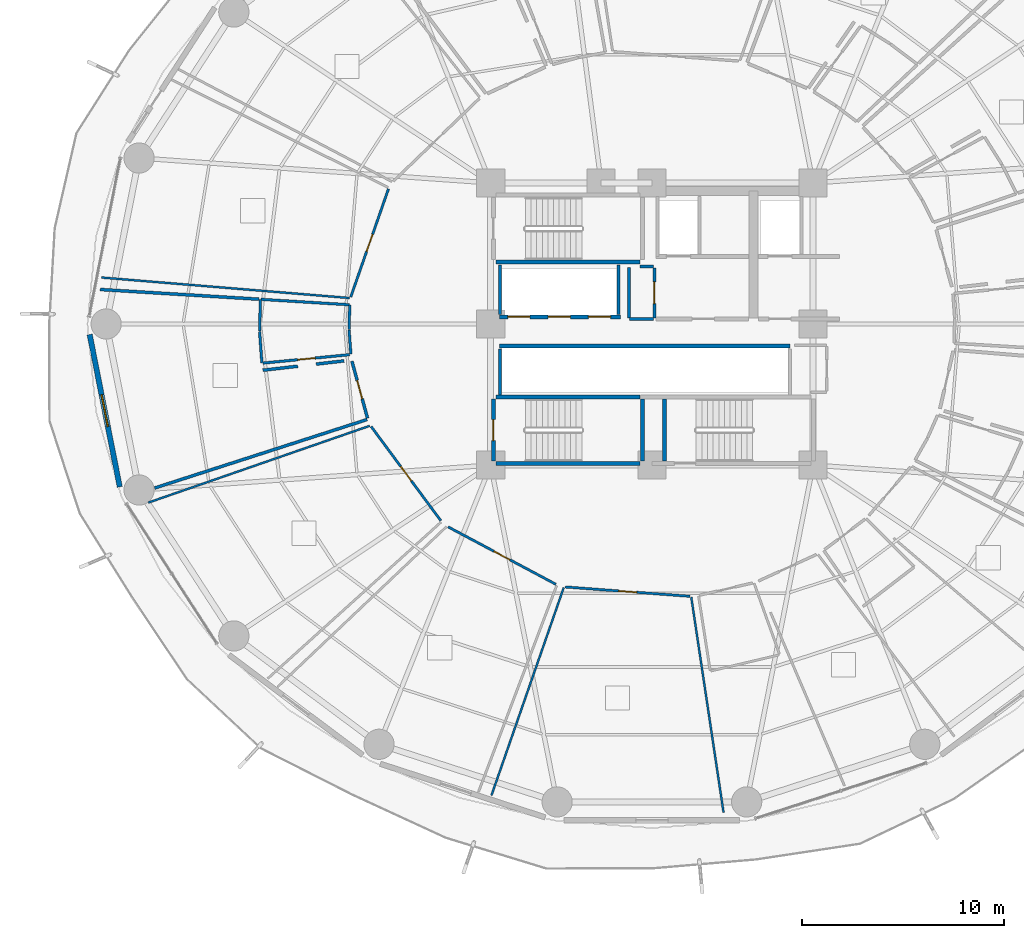
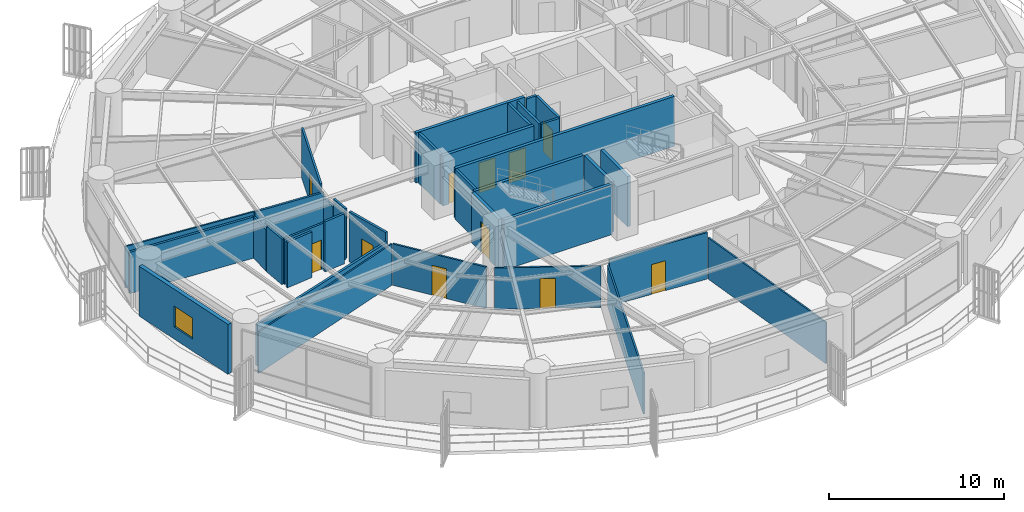
# One storey, part 22 of 31: 35 walls, 11 doors, 1 window, 12 openings.
"""IFC4 building model written with IfcOpenShell, lengths in metres."""

from ifc_helpers import new_model, si_unit, direction, frame, frame_2d, origin, place, context, subcontext, project, spatial, rectangle, extrude, material, layer, layer_set, type_object, element, fill, save


model = new_model("IFC4")

# Units and contexts
model_context = context("Model", 3, precision=1e-05, world=origin(), true_north=direction((0.0, 1.0)))
body_context = subcontext(model_context, "Body", "Model", "MODEL_VIEW")
ifc_project = project(units=[si_unit("LENGTHUNIT", "METRE"), si_unit("AREAUNIT", "SQUARE_METRE"), si_unit("VOLUMEUNIT", "CUBIC_METRE"), si_unit("PLANEANGLEUNIT", "RADIAN"), si_unit("MASSUNIT", "GRAM", prefix="KILO")], contexts=[model_context])

# Site, building, storey
site_placement = place(None, origin())
site = spatial("IfcSite", under=ifc_project, at=site_placement, CompositionType="ELEMENT")
building_placement = place(site_placement, origin())
building = spatial("IfcBuilding", under=site, at=building_placement, Name="Kelanora Arch Commons", CompositionType="ELEMENT")
storey_placement = place(building_placement, frame((0.0, 0.0, 63.75)))
storey = spatial("IfcBuildingStorey", under=building, at=storey_placement, Name="L16", CompositionType="ELEMENT", Elevation=63.75)

# Walls
ifc_material_1 = material(Name="Autoclaved aerated concrete blockwork with fire plaster", Category="masonry")
ifc_layer_1 = layer(ifc_material_1, 0.14990234375)
ifc_layer_set_1 = layer_set([ifc_layer_1], Name="Autoclaved aerated concrete blockwork with fire plaster")
wall_type_1 = type_object("IfcWallType", Name="W-COMP-150", PredefinedType="PARTITIONING", material=ifc_layer_set_1)
for number, where, z_axis, x_axis, name in (
    (1, (66.4599609375, 58.47998046875, 0.0), (0.0, 0.0, 1.0), (0.0, 1.0, 0.0), "Low-Rise Lift Bank West Wall L16"),
    (2, (72.340087890625, 58.47998046875, 0.0), (0.0, 0.0, 1.0), (0.0, 1.0, 0.0), "Low-Rise Lift Bank East Wall L16"),
):
    element("IfcWall", number, at=place(storey_placement, frame(where, z_axis=z_axis, x_axis=x_axis)), inside=storey, type_object=wall_type_1, Name=name, PredefinedType="PARTITIONING", context=body_context, shape_type="SweptSolid", body=[
        extrude(rectangle(XDim=2.4599609375, YDim=0.14990234375, at=frame_2d((1.22998046875, 0.0))), origin(), (0.0, 0.0, 1.0), 3.47998046875),
    ])
wall_1_placement = place(storey_placement, frame((66.4599609375, 54.47998046875, 0.0), z_axis=(0.0, 0.0, 1.0), x_axis=(0.0, 1.0, 0.0)))
element("IfcWall", 3, at=wall_1_placement, inside=storey, type_object=wall_type_1, Name="South Lift Bank West Wall L16", PredefinedType="PARTITIONING", context=body_context, shape_type="SweptSolid", body=[
    extrude(rectangle(XDim=2.2900390625, YDim=0.14990234375, at=frame_2d((1.14501953125, 0.0))), origin(), (0.0, 0.0, 1.0), 3.47998046875),
])

# Wall, opening, door
wall_2_placement = place(storey_placement, frame((74.1201171875, 58.31005859375, 0.0), z_axis=(0.0, 0.0, 1.0), x_axis=(0.0, 1.0, 0.0)))
wall_2 = element("IfcWall", 4, at=wall_2_placement, inside=storey, type_object=wall_type_1, Name="Core Linen Supply Store L16 Entry Partition", PredefinedType="PARTITIONING", context=body_context, shape_type="SweptSolid", body=[
    extrude(rectangle(XDim=2.47998046875, YDim=0.14990234375, at=frame_2d((1.239990234375, 0.0))), origin(), (0.0, 0.0, 1.0), 3.47998046875),
])
opening_1_placement = place(wall_2_placement, frame((0.699951171875, 0.0, 0.0)))
opening_1 = element("IfcOpeningElement", 5, at=opening_1_placement, cuts=wall_2, Name="Opening D-PLT1", PredefinedType="OPENING", context=body_context, shape_type="SweptSolid", body=[
    extrude(rectangle(XDim=1.080078125, YDim=2.10009765625, at=frame_2d((0.5400390625, 1.050048828125))), frame((0.0, 0.0849609375, 0.0), z_axis=(0.0, -1.0, 0.0), x_axis=(1.0, 0.0, 0.0)), (0.0, 0.0, 1.0), 0.169921875),
])
ifc_material_2 = material(Name="Galvanised steel plant and riser fire door", Category="steel")
door_type_1 = type_object("IfcDoorType", Name="D-PLT-110", OperationType="NOTDEFINED", PredefinedType="DOOR", material=ifc_material_2)
door_1_placement = place(opening_1_placement, origin())
door_1 = element("IfcDoor", 6, at=door_1_placement, inside=storey, type_object=door_type_1, Name="Core Linen Supply Store L16 Door", OperationType="SINGLE_SWING_RIGHT", OverallHeight=2.10009765625, OverallWidth=1.080078125, PredefinedType="DOOR", context=body_context, shape_type="SweptSolid", body=[
    extrude(rectangle(XDim=1.080078125, YDim=2.10009765625, at=frame_2d((0.5400390625, 1.050048828125))), frame((0.0, 0.02490234375, 0.0), z_axis=(0.0, -1.0, 0.0), x_axis=(1.0, 0.0, 0.0)), (0.0, 0.0, 1.0), 0.050048828125),
])
fill(opening_1, door_1)

wall_3_placement = place(storey_placement, frame((59.11572265625, 56.155029296875, 0.0), z_axis=(0.0, 0.0, 1.0), x_axis=(0.263653235341, -0.964617526014, 0.0)))
wall_3 = element("IfcWall", 7, at=wall_3_placement, inside=storey, type_object=wall_type_1, Name="Co-Living Studio L16-07 Entry Partition", PredefinedType="PARTITIONING", context=body_context, shape_type="SweptSolid", body=[
    extrude(rectangle(XDim=2.929931640625, YDim=0.14990234375, at=frame_2d((1.46484375, 0.0))), origin(), (0.0, 0.0, 1.0), 3.47998046875),
])
opening_2_placement = place(wall_3_placement, frame((0.989990234375, 0.0, 0.0)))
opening_2 = element("IfcOpeningElement", 8, at=opening_2_placement, cuts=wall_3, Name="Opening D-CLU1", PredefinedType="OPENING", context=body_context, shape_type="SweptSolid", body=[
    extrude(rectangle(XDim=0.949951171875, YDim=2.080078125, at=frame_2d((0.47509765625, 1.0400390625))), frame((0.0, 0.0849609375, 0.0), z_axis=(0.0, -1.0, 0.0), x_axis=(1.0, 0.0, 0.0)), (0.0, 0.0, 1.0), 0.169921875),
])
ifc_material_3 = material(Name="Solid-core acoustic timber cluster entry fire door", Category="wood")
door_type_2 = type_object("IfcDoorType", Name="D-CLU-95", OperationType="NOTDEFINED", PredefinedType="DOOR", material=ifc_material_3)
door_2_placement = place(opening_2_placement, origin())
door_2 = element("IfcDoor", 9, at=door_2_placement, inside=storey, type_object=door_type_2, Name="Co-Living Studio L16-07 Door", OperationType="SINGLE_SWING_RIGHT", OverallHeight=2.080078125, OverallWidth=0.949951171875, PredefinedType="DOOR", context=body_context, shape_type="SweptSolid", body=[
    extrude(rectangle(XDim=0.949951171875, YDim=2.080078125, at=frame_2d((0.47509765625, 1.0400390625))), frame((0.0, 0.02490234375, 0.0), z_axis=(0.0, -1.0, 0.0), x_axis=(1.0, 0.0, 0.0)), (0.0, 0.0, 1.0), 0.050048828125),
])
fill(opening_2, door_2)

# Walls
wall_4_placement = place(storey_placement, frame((72.89990234375, 58.25, 0.0), z_axis=(0.0, 0.0, 1.0), x_axis=(1.0, 0.0, 0.0)))
element("IfcWall", 10, at=wall_4_placement, inside=storey, type_object=wall_type_1, Name="Core Linen Supply Store L16 Enclosure Partition 1", PredefinedType="PARTITIONING", context=body_context, shape_type="SweptSolid", body=[
    extrude(rectangle(XDim=1.18017578125, YDim=0.14990234375, at=frame_2d((0.590087890625, 0.0))), origin(), (0.0, 0.0, 1.0), 3.47998046875),
])
wall_5_placement = place(storey_placement, frame((74.080078125, 60.85009765625, 0.0), z_axis=(0.0, 0.0, 1.0), x_axis=(-1.0, 0.0, 0.0)))
element("IfcWall", 11, at=wall_5_placement, inside=storey, type_object=wall_type_1, Name="Core Linen Supply Store L16 Enclosure Partition 3", PredefinedType="PARTITIONING", context=body_context, shape_type="SweptSolid", body=[
    extrude(rectangle(XDim=0.66015625, YDim=0.14990234375, at=frame_2d((0.330078125, 0.0))), origin(), (0.0, 0.0, 1.0), 3.47998046875),
])
wall_6_placement = place(storey_placement, frame((72.860107421875, 60.81005859375, 0.0), z_axis=(0.0, 0.0, 1.0), x_axis=(0.0, -1.0, 0.0)))
element("IfcWall", 12, at=wall_6_placement, inside=storey, type_object=wall_type_1, Name="Core Linen Supply Store L16 Enclosure Partition 4", PredefinedType="PARTITIONING", context=body_context, shape_type="SweptSolid", body=[
    extrude(rectangle(XDim=2.52001953125, YDim=0.14990234375, at=frame_2d((1.260009765625, 0.0))), origin(), (0.0, 0.0, 1.0), 3.47998046875),
])
wall_7_placement = place(storey_placement, frame((59.865966796875, 53.2587890625, 0.0), z_axis=(0.0, 0.0, 1.0), x_axis=(-0.951774856366, -0.30679736438, 0.0)))
element("IfcWall", 13, at=wall_7_placement, inside=storey, type_object=wall_type_1, Name="Co-Living Studio L16-07 Enclosure Partition 2", PredefinedType="PARTITIONING", context=body_context, shape_type="SweptSolid", body=[
    extrude(rectangle(XDim=11.077880859375, YDim=0.14990234375, at=frame_2d((5.5390625, 0.0))), origin(), (0.0, 0.0, 1.0), 2.875),
])
wall_8_placement = place(storey_placement, frame((46.626953125, 59.711669921875, 0.0), z_axis=(0.0, 0.0, 1.0), x_axis=(0.998135541011, -0.0610363971, 0.0)))
element("IfcWall", 14, at=wall_8_placement, inside=storey, type_object=wall_type_1, Name="Co-Living Studio L16-07 Enclosure Partition 5", PredefinedType="PARTITIONING", context=body_context, shape_type="SweptSolid", body=[
    extrude(rectangle(XDim=7.8837890625, YDim=0.14990234375, at=frame_2d((3.94189453125, 0.0))), origin(), (0.0, 0.0, 1.0), 2.875),
])
wall_9_placement = place(storey_placement, frame((54.69580078125, 55.70556640625, 0.0), z_axis=(0.0, 0.0, 1.0), x_axis=(0.993432194787, 0.114422350794, 0.0)))
element("IfcWall", 15, at=wall_9_placement, inside=storey, type_object=wall_type_1, Name="Co-Living Studio L16-07 Enclosure Partition 7", PredefinedType="PARTITIONING", context=body_context, shape_type="SweptSolid", body=[
    extrude(rectangle(XDim=1.745361328125, YDim=0.14990234375, at=frame_2d((0.87255859375, 0.0))), origin(), (0.0, 0.0, 1.0), 3.175048828125),
])
wall_10_placement = place(storey_placement, frame((57.34375, 56.0107421875, 0.0), z_axis=(0.0, 0.0, 1.0), x_axis=(0.99343576075, 0.114391386311, 0.0)))
element("IfcWall", 16, at=wall_10_placement, inside=storey, type_object=wall_type_1, Name="Co-Living Studio L16-07 Enclosure Partition 7", PredefinedType="PARTITIONING", context=body_context, shape_type="SweptSolid", body=[
    extrude(rectangle(XDim=1.3935546875, YDim=0.14990234375, at=frame_2d((0.69677734375, 0.0))), origin(), (0.0, 0.0, 1.0), 3.47998046875),
])

# Wall, opening, window
ifc_material_4 = material(Name="Precast concrete C40/50 with terracotta rainscreen", Category="masonry")
ifc_layer_2 = layer(ifc_material_4, 0.260009765625)
ifc_layer_set_2 = layer_set([ifc_layer_2], Name="Precast concrete C40/50 with terracotta rainscreen")
wall_type_2 = type_object("IfcWallType", Name="W-EXT-TC", PredefinedType="SOLIDWALL", material=ifc_layer_set_2)
wall_11_placement = place(storey_placement, frame((46.103515625, 57.4765625, 0.0), z_axis=(0.0, 0.0, 1.0), x_axis=(0.193726159581, -0.98105564322, 0.0)))
wall_11 = element("IfcWall", 17, at=wall_11_placement, inside=storey, type_object=wall_type_2, Name="Terracotta Exterior Wall L16-B09", PredefinedType="SOLIDWALL", context=body_context, shape_type="SweptSolid", body=[
    extrude(rectangle(XDim=7.70263671875, YDim=0.260009765625, at=frame_2d((3.851318359375, 0.0))), origin(), (0.0, 0.0, 1.0), 3.47509765625),
])
opening_3_placement = place(wall_11_placement, frame((3.051025390625, 0.0, 0.85009765625)))
opening_3 = element("IfcOpeningElement", 18, at=opening_3_placement, cuts=wall_11, Name="Opening WN-01", PredefinedType="OPENING", context=body_context, shape_type="SweptSolid", body=[
    extrude(rectangle(XDim=1.60009765625, YDim=1.449951171875, at=frame_2d((0.800048828125, 0.72509765625))), frame((0.0, 0.14013671875, 0.0), z_axis=(0.0, -1.0, 0.0), x_axis=(1.0, 0.0, 0.0)), (0.0, 0.0, 1.0), 0.280029296875),
])
ifc_material_5 = material(Name="Terracotta-anodised aluminium frame with operable low-E glazing", Category="masonry")
window_type = type_object("IfcWindowType", Name="WIN-CL-18", PartitioningType="DOUBLE_PANEL_VERTICAL", PredefinedType="WINDOW", material=ifc_material_5)
window_placement = place(opening_3_placement, origin())
window = element("IfcWindow", 19, at=window_placement, inside=storey, type_object=window_type, Name="Co-Living Operable Window L16-B09", OverallHeight=1.449951171875, OverallWidth=1.60009765625, PartitioningType="SINGLE_PANEL", PredefinedType="WINDOW", context=body_context, shape_type="SweptSolid", body=[
    extrude(rectangle(XDim=1.60009765625, YDim=1.449951171875, at=frame_2d((0.800048828125, 0.72509765625))), frame((0.0, 0.030029296875, 0.0), z_axis=(0.0, -1.0, 0.0), x_axis=(1.0, 0.0, 0.0)), (0.0, 0.0, 1.0), 0.06005859375),
])
fill(opening_3, window)

# Wall, openings, doors
ifc_material_6 = material(Name="Concrete C40/50", Category="concrete")
ifc_layer_3 = layer(ifc_material_6, 0.199951171875)
ifc_layer_set_3 = layer_set([ifc_layer_3], Name="Concrete C40/50")
wall_type_3 = type_object("IfcWallType", Name="W-FFL-200", PredefinedType="SOLIDWALL", material=ifc_layer_set_3)
wall_12_placement = place(storey_placement, frame((66.449951171875, 58.35009765625, 0.0), z_axis=(0.0, 0.0, 1.0), x_axis=(1.0, 0.0, 0.0)))
wall_12 = element("IfcWall", 20, at=wall_12_placement, inside=storey, type_object=wall_type_3, Name="Low-Rise Passenger Lift Shaft Front L16", PredefinedType="SOLIDWALL", context=body_context, shape_type="SweptSolid", body=[
    extrude(rectangle(XDim=6.0, YDim=0.199951171875, at=frame_2d((3.0, 0.0))), origin(), (0.0, 0.0, 1.0), 3.47998046875),
])
opening_4_placement = place(wall_12_placement, frame((0.39990234375, 0.0, 0.0)))
opening_4 = element("IfcOpeningElement", 21, at=opening_4_placement, cuts=wall_12, Name="Opening LD-01", PredefinedType="OPENING", context=body_context, shape_type="SweptSolid", body=[
    extrude(rectangle(XDim=1.10009765625, YDim=2.10009765625, at=frame_2d((0.550048828125, 1.050048828125))), frame((0.0, 0.10986328125, 0.0), z_axis=(0.0, -1.0, 0.0), x_axis=(1.0, 0.0, 0.0)), (0.0, 0.0, 1.0), 0.219970703125),
])
opening_5_placement = place(wall_12_placement, frame((2.39990234375, 0.0, 0.0)))
opening_5 = element("IfcOpeningElement", 22, at=opening_5_placement, cuts=wall_12, Name="Opening LD-01", PredefinedType="OPENING", context=body_context, shape_type="SweptSolid", body=[
    extrude(rectangle(XDim=1.10009765625, YDim=2.10009765625, at=frame_2d((0.550048828125, 1.050048828125))), frame((0.0, 0.10986328125, 0.0), z_axis=(0.0, -1.0, 0.0), x_axis=(1.0, 0.0, 0.0)), (0.0, 0.0, 1.0), 0.219970703125),
])
opening_6_placement = place(wall_12_placement, frame((4.39990234375, 0.0, 0.0)))
opening_6 = element("IfcOpeningElement", 23, at=opening_6_placement, cuts=wall_12, Name="Opening LD-01", PredefinedType="OPENING", context=body_context, shape_type="SweptSolid", body=[
    extrude(rectangle(XDim=1.10009765625, YDim=2.10009765625, at=frame_2d((0.550048828125, 1.050048828125))), frame((0.0, 0.10986328125, 0.0), z_axis=(0.0, -1.0, 0.0), x_axis=(1.0, 0.0, 0.0)), (0.0, 0.0, 1.0), 0.219970703125),
])
ifc_material_7 = material(Name="Stainless steel passenger lift sliding landing door", Category="steel")
door_type_3 = type_object("IfcDoorType", Name="D-LIFT-110", OperationType="NOTDEFINED", PredefinedType="DOOR", material=ifc_material_7)
door_3_placement = place(opening_4_placement, origin())
door_3 = element("IfcDoor", 24, at=door_3_placement, inside=storey, type_object=door_type_3, Name="Passenger Lift LF-P1 Landing Door L16", OperationType="DOUBLE_DOOR_SLIDING", OverallHeight=2.10009765625, OverallWidth=1.10009765625, PredefinedType="DOOR", context=body_context, shape_type="SweptSolid", body=[
    extrude(rectangle(XDim=1.10009765625, YDim=2.10009765625, at=frame_2d((0.550048828125, 1.050048828125))), frame((0.0, 0.02490234375, 0.0), z_axis=(0.0, -1.0, 0.0), x_axis=(1.0, 0.0, 0.0)), (0.0, 0.0, 1.0), 0.050048828125),
])
fill(opening_4, door_3)
door_4_placement = place(opening_5_placement, origin())
door_4 = element("IfcDoor", 25, at=door_4_placement, inside=storey, type_object=door_type_3, Name="Passenger Lift LF-P2 Landing Door L16", OperationType="DOUBLE_DOOR_SLIDING", OverallHeight=2.10009765625, OverallWidth=1.10009765625, PredefinedType="DOOR", context=body_context, shape_type="SweptSolid", body=[
    extrude(rectangle(XDim=1.10009765625, YDim=2.10009765625, at=frame_2d((0.550048828125, 1.050048828125))), frame((0.0, 0.02490234375, 0.0), z_axis=(0.0, -1.0, 0.0), x_axis=(1.0, 0.0, 0.0)), (0.0, 0.0, 1.0), 0.050048828125),
])
fill(opening_5, door_4)
door_5_placement = place(opening_6_placement, origin())
door_5 = element("IfcDoor", 26, at=door_5_placement, inside=storey, type_object=door_type_3, Name="Passenger Lift LF-P3 Landing Door L16", OperationType="DOUBLE_DOOR_SLIDING", OverallHeight=2.10009765625, OverallWidth=1.10009765625, PredefinedType="DOOR", context=body_context, shape_type="SweptSolid", body=[
    extrude(rectangle(XDim=1.10009765625, YDim=2.10009765625, at=frame_2d((0.550048828125, 1.050048828125))), frame((0.0, 0.02490234375, 0.0), z_axis=(0.0, -1.0, 0.0), x_axis=(1.0, 0.0, 0.0)), (0.0, 0.0, 1.0), 0.050048828125),
])
fill(opening_6, door_5)

# Walls
wall_13_placement = place(storey_placement, frame((66.449951171875, 56.89990234375, 0.0), z_axis=(0.0, 0.0, 1.0), x_axis=(1.0, 0.0, 0.0)))
element("IfcWall", 27, at=wall_13_placement, inside=storey, type_object=wall_type_3, Name="Mid/High/Express Lift Shaft Front L16", PredefinedType="SOLIDWALL", context=body_context, shape_type="SweptSolid", body=[
    extrude(rectangle(XDim=14.400146484375, YDim=0.199951171875, at=frame_2d((7.2001953125, 0.0))), origin(), (0.0, 0.0, 1.0), 3.47998046875),
])
ifc_material_8 = material(Name="Lightweight fire-rated acoustic stud partition")
ifc_layer_4 = layer(ifc_material_8, 0.10009765625)
ifc_layer_set_4 = layer_set([ifc_layer_4], Name="Lightweight fire-rated acoustic stud partition")
wall_type_4 = type_object("IfcWallType", Name="W-PART-100", PredefinedType="PARTITIONING", material=ifc_layer_set_4)
wall_14_placement = place(storey_placement, frame((58.9970703125, 59.289306640625, 0.0), z_axis=(0.0, 0.0, 1.0), x_axis=(-0.996604780232, 0.08233414856, 0.0)))
element("IfcWall", 28, at=wall_14_placement, inside=storey, type_object=wall_type_4, Name="Social Sky Lounge L16-06 Enclosure Partition 2", PredefinedType="PARTITIONING", context=body_context, shape_type="SweptSolid", body=[
    extrude(rectangle(XDim=12.356201171875, YDim=0.10009765625, at=frame_2d((6.17822265625, 0.0))), origin(), (0.0, 0.0, 1.0), 2.875),
])
wall_15_placement = place(storey_placement, frame((49.007568359375, 49.136474609375, 0.0), z_axis=(0.0, 0.0, 1.0), x_axis=(0.944815756918, 0.327602175634, 0.0)))
element("IfcWall", 29, at=wall_15_placement, inside=storey, type_object=wall_type_4, Name="Communal Dining and Social Hall L16-08 Enclosure Partition 4", PredefinedType="PARTITIONING", context=body_context, shape_type="SweptSolid", body=[
    extrude(rectangle(XDim=11.631591796875, YDim=0.10009765625, at=frame_2d((5.81591796875, 0.0))), origin(), (0.0, 0.0, 1.0), 2.875),
])
wall_16_placement = place(storey_placement, frame((75.952880859375, 44.4453125, 0.0), z_axis=(0.0, 0.0, 1.0), x_axis=(0.148282966471, -0.988944974129, 0.0)))
element("IfcWall", 30, at=wall_16_placement, inside=storey, type_object=wall_type_4, Name="Quiet Seminar Study Room L16-10 Enclosure Partition 2", PredefinedType="PARTITIONING", context=body_context, shape_type="SweptSolid", body=[
    extrude(rectangle(XDim=10.799072265625, YDim=0.10009765625, at=frame_2d((5.3994140625, 0.0))), origin(), (0.0, 0.0, 1.0), 2.875),
])
wall_17_placement = place(storey_placement, frame((66.0380859375, 34.61181640625, 0.0), z_axis=(0.0, 0.0, 1.0), x_axis=(0.328662915274, 0.944447292401, 0.0)))
element("IfcWall", 31, at=wall_17_placement, inside=storey, type_object=wall_type_4, Name="Quiet Seminar Study Room L16-10 Enclosure Partition 4", PredefinedType="PARTITIONING", context=body_context, shape_type="SweptSolid", body=[
    extrude(rectangle(XDim=10.91357421875, YDim=0.10009765625, at=frame_2d((5.456787109375, 0.0))), origin(), (0.0, 0.0, 1.0), 2.875),
])

# Wall, opening, door
ifc_material_9 = material(Name="Acoustic twin-stud fire-rated gypsum partition")
ifc_layer_5 = layer(ifc_material_9, 0.1201171875)
ifc_layer_set_5 = layer_set([ifc_layer_5], Name="Acoustic twin-stud fire-rated gypsum partition")
wall_type_5 = type_object("IfcWallType", Name="W-PART-120", PredefinedType="PARTITIONING", material=ifc_layer_set_5)
wall_18_placement = place(storey_placement, frame((60.92822265625, 64.702392578125, 0.0), z_axis=(0.0, 0.0, 1.0), x_axis=(-0.329626249966, -0.944111505773, 0.0)))
wall_18 = element("IfcWall", 32, at=wall_18_placement, inside=storey, type_object=wall_type_5, Name="Social Sky Lounge L16-06 Entry Partition", PredefinedType="PARTITIONING", context=body_context, shape_type="SweptSolid", body=[
    extrude(rectangle(XDim=5.67724609375, YDim=0.1201171875, at=frame_2d((2.838623046875, 0.0))), origin(), (0.0, 0.0, 1.0), 3.47998046875),
])
opening_7_placement = place(wall_18_placement, frame((2.388916015625, 0.0, 0.0)))
opening_7 = element("IfcOpeningElement", 33, at=opening_7_placement, cuts=wall_18, Name="Opening D-RM1", PredefinedType="OPENING", context=body_context, shape_type="SweptSolid", body=[
    extrude(rectangle(XDim=0.89990234375, YDim=2.080078125, at=frame_2d((0.449951171875, 1.0400390625))), frame((0.0, 0.070068359375, 0.0), z_axis=(0.0, -1.0, 0.0), x_axis=(1.0, 0.0, 0.0)), (0.0, 0.0, 1.0), 0.14013671875),
])
ifc_material_10 = material(Name="Acoustic fire-rated timber study and lounge door", Category="wood")
door_type_4 = type_object("IfcDoorType", Name="D-ROOM-90", OperationType="NOTDEFINED", PredefinedType="DOOR", material=ifc_material_10)
door_6_placement = place(opening_7_placement, origin())
door_6 = element("IfcDoor", 34, at=door_6_placement, inside=storey, type_object=door_type_4, Name="Social Sky Lounge L16-06 Door", OperationType="SINGLE_SWING_RIGHT", OverallHeight=2.080078125, OverallWidth=0.89990234375, PredefinedType="DOOR", context=body_context, shape_type="SweptSolid", body=[
    extrude(rectangle(XDim=0.89990234375, YDim=2.080078125, at=frame_2d((0.449951171875, 1.0400390625))), frame((0.0, 0.02490234375, 0.0), z_axis=(0.0, -1.0, 0.0), x_axis=(1.0, 0.0, 0.0)), (0.0, 0.0, 1.0), 0.050048828125),
])
fill(opening_7, door_6)

wall_19_placement = place(storey_placement, frame((60.07080078125, 52.911865234375, 0.0), z_axis=(0.0, 0.0, 1.0), x_axis=(0.594763174801, -0.80390096772, 0.0)))
wall_19 = element("IfcWall", 35, at=wall_19_placement, inside=storey, type_object=wall_type_5, Name="Communal Dining and Social Hall L16-08 Entry Partition", PredefinedType="PARTITIONING", context=body_context, shape_type="SweptSolid", body=[
    extrude(rectangle(XDim=5.81005859375, YDim=0.1201171875, at=frame_2d((2.905029296875, 0.0))), origin(), (0.0, 0.0, 1.0), 2.875),
])
opening_8_placement = place(wall_19_placement, frame((2.455078125, 0.0, 0.0)))
opening_8 = element("IfcOpeningElement", 36, at=opening_8_placement, cuts=wall_19, Name="Opening D-RM1", PredefinedType="OPENING", context=body_context, shape_type="SweptSolid", body=[
    extrude(rectangle(XDim=0.89990234375, YDim=2.080078125, at=frame_2d((0.449951171875, 1.0400390625))), frame((0.0, 0.070068359375, 0.0), z_axis=(0.0, -1.0, 0.0), x_axis=(1.0, 0.0, 0.0)), (0.0, 0.0, 1.0), 0.14013671875),
])
door_7_placement = place(opening_8_placement, origin())
door_7 = element("IfcDoor", 37, at=door_7_placement, inside=storey, type_object=door_type_4, Name="Communal Dining and Social Hall L16-08 Door", OperationType="SINGLE_SWING_LEFT", OverallHeight=2.080078125, OverallWidth=0.89990234375, PredefinedType="DOOR", context=body_context, shape_type="SweptSolid", body=[
    extrude(rectangle(XDim=0.89990234375, YDim=2.080078125, at=frame_2d((0.449951171875, 1.0400390625))), frame((0.0, 0.02490234375, 0.0), z_axis=(0.0, -1.0, 0.0), x_axis=(1.0, 0.0, 0.0)), (0.0, 0.0, 1.0), 0.050048828125),
])
fill(opening_8, door_7)

wall_20_placement = place(storey_placement, frame((63.882080078125, 47.936767578125, 0.0), z_axis=(0.0, 0.0, 1.0), x_axis=(0.882584601599, -0.470153614279, 0.0)))
wall_20 = element("IfcWall", 38, at=wall_20_placement, inside=storey, type_object=wall_type_5, Name="Quiet Seminar Study Room L16-09 Entry Partition", PredefinedType="PARTITIONING", context=body_context, shape_type="SweptSolid", body=[
    extrude(rectangle(XDim=6.065185546875, YDim=0.1201171875, at=frame_2d((3.03271484375, 0.0))), origin(), (0.0, 0.0, 1.0), 2.875),
])
opening_9_placement = place(wall_20_placement, frame((2.5830078125, 0.0, 0.0)))
opening_9 = element("IfcOpeningElement", 39, at=opening_9_placement, cuts=wall_20, Name="Opening D-RM1", PredefinedType="OPENING", context=body_context, shape_type="SweptSolid", body=[
    extrude(rectangle(XDim=0.89990234375, YDim=2.080078125, at=frame_2d((0.449951171875, 1.0400390625))), frame((0.0, 0.070068359375, 0.0), z_axis=(0.0, -1.0, 0.0), x_axis=(1.0, 0.0, 0.0)), (0.0, 0.0, 1.0), 0.14013671875),
])
door_8_placement = place(opening_9_placement, origin())
door_8 = element("IfcDoor", 40, at=door_8_placement, inside=storey, type_object=door_type_4, Name="Quiet Seminar Study Room L16-09 Door", OperationType="SINGLE_SWING_RIGHT", OverallHeight=2.080078125, OverallWidth=0.89990234375, PredefinedType="DOOR", context=body_context, shape_type="SweptSolid", body=[
    extrude(rectangle(XDim=0.89990234375, YDim=2.080078125, at=frame_2d((0.449951171875, 1.0400390625))), frame((0.0, 0.02490234375, 0.0), z_axis=(0.0, -1.0, 0.0), x_axis=(1.0, 0.0, 0.0)), (0.0, 0.0, 1.0), 0.050048828125),
])
fill(opening_9, door_8)

wall_21_placement = place(storey_placement, frame((69.69775390625, 44.952392578125, 0.0), z_axis=(0.0, 0.0, 1.0), x_axis=(0.997215128993, -0.074578726908, 0.0)))
wall_21 = element("IfcWall", 41, at=wall_21_placement, inside=storey, type_object=wall_type_5, Name="Quiet Seminar Study Room L16-10 Entry Partition", PredefinedType="PARTITIONING", context=body_context, shape_type="SweptSolid", body=[
    extrude(rectangle(XDim=6.206787109375, YDim=0.1201171875, at=frame_2d((3.103515625, 0.0))), origin(), (0.0, 0.0, 1.0), 3.235107421875),
])
opening_10_placement = place(wall_21_placement, frame((2.653076171875, 0.0, 0.0)))
opening_10 = element("IfcOpeningElement", 42, at=opening_10_placement, cuts=wall_21, Name="Opening D-RM1", PredefinedType="OPENING", context=body_context, shape_type="SweptSolid", body=[
    extrude(rectangle(XDim=0.89990234375, YDim=2.080078125, at=frame_2d((0.449951171875, 1.0400390625))), frame((0.0, 0.070068359375, 0.0), z_axis=(0.0, -1.0, 0.0), x_axis=(1.0, 0.0, 0.0)), (0.0, 0.0, 1.0), 0.14013671875),
])
door_9_placement = place(opening_10_placement, origin())
door_9 = element("IfcDoor", 43, at=door_9_placement, inside=storey, type_object=door_type_4, Name="Quiet Seminar Study Room L16-10 Door", OperationType="SINGLE_SWING_LEFT", OverallHeight=2.080078125, OverallWidth=0.89990234375, PredefinedType="DOOR", context=body_context, shape_type="SweptSolid", body=[
    extrude(rectangle(XDim=0.89990234375, YDim=2.080078125, at=frame_2d((0.449951171875, 1.0400390625))), frame((0.0, 0.02490234375, 0.0), z_axis=(0.0, -1.0, 0.0), x_axis=(1.0, 0.0, 0.0)), (0.0, 0.0, 1.0), 0.050048828125),
])
fill(opening_10, door_9)

# Walls
ifc_layer_6 = layer(ifc_material_6, 0.199951171875)
ifc_layer_set_6 = layer_set([ifc_layer_6], Name="Concrete C40/50")
wall_type_6 = type_object("IfcWallType", Name="W-STAIR-200", PredefinedType="SHEAR", material=ifc_layer_set_6)
wall_22_placement = place(storey_placement, frame((66.260009765625, 61.080078125, 0.0), z_axis=(0.0, 0.0, 1.0), x_axis=(1.0, 0.0, 0.0)))
element("IfcWall", 44, at=wall_22_placement, inside=storey, type_object=wall_type_6, Name="Stair ST-T1 Shaft Wall S L16", PredefinedType="SHEAR", context=body_context, shape_type="SweptSolid", body=[
    extrude(rectangle(XDim=7.159912109375, YDim=0.199951171875, at=frame_2d((3.580078125, 0.0))), origin(), (0.0, 0.0, 1.0), 3.489990234375),
])
wall_23_placement = place(storey_placement, frame((74.6201171875, 54.27001953125, 0.0), z_axis=(0.0, 0.0, 1.0), x_axis=(0.0, -1.0, 0.0)))
element("IfcWall", 45, at=wall_23_placement, inside=storey, type_object=wall_type_6, Name="Stair ST-T2 Shaft Wall W L16", PredefinedType="SHEAR", context=body_context, shape_type="SweptSolid", body=[
    extrude(rectangle(XDim=3.070068359375, YDim=0.199951171875, at=frame_2d((1.53515625, 0.0))), origin(), (0.0, 0.0, 1.0), 3.489990234375),
])
wall_24_placement = place(storey_placement, frame((66.260009765625, 51.080078125, 0.0), z_axis=(0.0, 0.0, 1.0), x_axis=(1.0, 0.0, 0.0)))
element("IfcWall", 46, at=wall_24_placement, inside=storey, type_object=wall_type_6, Name="Stair ST-T3 Shaft Wall S L16", PredefinedType="SHEAR", context=body_context, shape_type="SweptSolid", body=[
    extrude(rectangle(XDim=7.159912109375, YDim=0.199951171875, at=frame_2d((3.580078125, 0.0))), origin(), (0.0, 0.0, 1.0), 3.489990234375),
])
wall_25_placement = place(storey_placement, frame((73.5400390625, 51.199951171875, 0.0), z_axis=(0.0, 0.0, 1.0), x_axis=(0.0, 1.0, 0.0)))
element("IfcWall", 47, at=wall_25_placement, inside=storey, type_object=wall_type_6, Name="Stair ST-T3 Shaft Wall E L16", PredefinedType="SHEAR", context=body_context, shape_type="SweptSolid", body=[
    extrude(rectangle(XDim=3.070068359375, YDim=0.199951171875, at=frame_2d((1.53515625, 0.0))), origin(), (0.0, 0.0, 1.0), 3.489990234375),
])
wall_26_placement = place(storey_placement, frame((73.419921875, 54.389892578125, 0.0), z_axis=(0.0, 0.0, 1.0), x_axis=(-1.0, 0.0, 0.0)))
element("IfcWall", 48, at=wall_26_placement, inside=storey, type_object=wall_type_6, Name="Stair ST-T3 Shaft Wall N L16", PredefinedType="SHEAR", context=body_context, shape_type="SweptSolid", body=[
    extrude(rectangle(XDim=7.159912109375, YDim=0.199951171875, at=frame_2d((3.580078125, 0.0))), origin(), (0.0, 0.0, 1.0), 3.489990234375),
])

# Wall, opening, door
wall_27_placement = place(storey_placement, frame((66.139892578125, 54.27001953125, 0.0), z_axis=(0.0, 0.0, 1.0), x_axis=(0.0, -1.0, 0.0)))
wall_27 = element("IfcWall", 49, at=wall_27_placement, inside=storey, type_object=wall_type_6, Name="Stair ST-T3 Shaft Wall W L16", PredefinedType="SHEAR", context=body_context, shape_type="SweptSolid", body=[
    extrude(rectangle(XDim=3.070068359375, YDim=0.199951171875, at=frame_2d((1.53515625, 0.0))), origin(), (0.0, 0.0, 1.0), 3.489990234375),
])
opening_11_placement = place(wall_27_placement, frame((1.010009765625, 0.0, 0.0)))
opening_11 = element("IfcOpeningElement", 50, at=opening_11_placement, cuts=wall_27, Name="Opening D-ST1", PredefinedType="OPENING", context=body_context, shape_type="SweptSolid", body=[
    extrude(rectangle(XDim=1.050048828125, YDim=2.10009765625, at=frame_2d((0.52490234375, 1.050048828125))), frame((0.0, 0.10986328125, 0.0), z_axis=(0.0, -1.0, 0.0), x_axis=(1.0, 0.0, 0.0)), (0.0, 0.0, 1.0), 0.219970703125),
])
ifc_material_11 = material(Name="Steel fire-rated stairwell escape door", Category="steel")
door_type_5 = type_object("IfcDoorType", Name="D-STAIR-110", OperationType="NOTDEFINED", PredefinedType="DOOR", material=ifc_material_11)
door_10_placement = place(opening_11_placement, origin())
door_10 = element("IfcDoor", 51, at=door_10_placement, inside=storey, type_object=door_type_5, Name="Stair ST-T3 Escape Door L16", OperationType="SINGLE_SWING_LEFT", OverallHeight=2.10009765625, OverallWidth=1.050048828125, PredefinedType="DOOR", context=body_context, shape_type="SweptSolid", body=[
    extrude(rectangle(XDim=1.050048828125, YDim=2.10009765625, at=frame_2d((0.52490234375, 1.050048828125))), frame((0.0, 0.02490234375, 0.0), z_axis=(0.0, -1.0, 0.0), x_axis=(1.0, 0.0, 0.0)), (0.0, 0.0, 1.0), 0.050048828125),
])
fill(opening_11, door_10)

ifc_material_12 = material(Name="Moisture-resistant fire-rated cement-board plumbing wall")
ifc_layer_7 = layer(ifc_material_12, 0.1298828125)
ifc_layer_set_7 = layer_set([ifc_layer_7], Name="Moisture-resistant fire-rated cement-board plumbing wall")
wall_type_7 = type_object("IfcWallType", Name="W-WET-120", PredefinedType="PLUMBINGWALL", material=ifc_layer_set_7)
wall_28_placement = place(storey_placement, frame((59.00341796875, 56.478271484375, 0.0), z_axis=(0.0, 0.0, 1.0), x_axis=(-0.995308448338, -0.096752739847, 0.0)))
wall_28 = element("IfcWall", 52, at=wall_28_placement, inside=storey, type_object=wall_type_7, Name="En-Suite Shower WC L16-07 Entry Partition", PredefinedType="PLUMBINGWALL", context=body_context, shape_type="SweptSolid", body=[
    extrude(rectangle(XDim=4.31494140625, YDim=0.1298828125, at=frame_2d((2.157470703125, 0.0))), origin(), (0.0, 0.0, 1.0), 3.175048828125),
])
opening_12_placement = place(wall_28_placement, frame((1.72705078125, 0.0, 0.0)))
opening_12 = element("IfcOpeningElement", 53, at=opening_12_placement, cuts=wall_28, Name="Opening D-BT1", PredefinedType="OPENING", context=body_context, shape_type="SweptSolid", body=[
    extrude(rectangle(XDim=0.860107421875, YDim=2.050048828125, at=frame_2d((0.43017578125, 1.02490234375))), frame((0.0, 0.074951171875, 0.0), z_axis=(0.0, -1.0, 0.0), x_axis=(1.0, 0.0, 0.0)), (0.0, 0.0, 1.0), 0.14990234375),
])
ifc_material_13 = material(Name="Moisture-sealed fire-rated accessible bathroom door")
door_type_6 = type_object("IfcDoorType", Name="D-BATH-85", OperationType="NOTDEFINED", PredefinedType="DOOR", material=ifc_material_13)
door_11_placement = place(opening_12_placement, origin())
door_11 = element("IfcDoor", 54, at=door_11_placement, inside=storey, type_object=door_type_6, Name="En-Suite Shower WC L16-07 Door", OperationType="SINGLE_SWING_LEFT", OverallHeight=2.050048828125, OverallWidth=0.860107421875, PredefinedType="DOOR", context=body_context, shape_type="SweptSolid", body=[
    extrude(rectangle(XDim=0.860107421875, YDim=2.050048828125, at=frame_2d((0.43017578125, 1.02490234375))), frame((0.0, 0.02490234375, 0.0), z_axis=(0.0, -1.0, 0.0), x_axis=(1.0, 0.0, 0.0)), (0.0, 0.0, 1.0), 0.050048828125),
])
fill(opening_12, door_11)

# Walls
wall_29_placement = place(storey_placement, frame((59.006591796875, 58.93408203125, 0.0), z_axis=(0.0, 0.0, 1.0), x_axis=(-0.027750076623, -0.99961489247, 0.0)))
element("IfcWall", 55, at=wall_29_placement, inside=storey, type_object=wall_type_7, Name="En-Suite Shower WC L16-07 Enclosure Partition 1", PredefinedType="PLUMBINGWALL", context=body_context, shape_type="SweptSolid", body=[
    extrude(rectangle(XDim=1.196533203125, YDim=0.1298828125, at=frame_2d((0.59814453125, 0.0))), origin(), (0.0, 0.0, 1.0), 2.875),
])
wall_30_placement = place(storey_placement, frame((58.974609375, 57.697998046875, 0.0), z_axis=(0.0, 0.0, 1.0), x_axis=(0.072594705052, -0.99736152362, 0.0)))
element("IfcWall", 56, at=wall_30_placement, inside=storey, type_object=wall_type_7, Name="En-Suite Shower WC L16-07 Enclosure Partition 2", PredefinedType="PLUMBINGWALL", context=body_context, shape_type="SweptSolid", body=[
    extrude(rectangle(XDim=1.197265625, YDim=0.1298828125, at=frame_2d((0.5986328125, 0.0))), origin(), (0.0, 0.0, 1.0), 3.47998046875),
])
wall_31_placement = place(storey_placement, frame((54.6474609375, 56.074951171875, 0.0), z_axis=(0.0, 0.0, 1.0), x_axis=(-0.07367990301, 0.997281942027, 0.0)))
element("IfcWall", 57, at=wall_31_placement, inside=storey, type_object=wall_type_7, Name="En-Suite Shower WC L16-07 Enclosure Partition 4", PredefinedType="PLUMBINGWALL", context=body_context, shape_type="SweptSolid", body=[
    extrude(rectangle(XDim=1.54736328125, YDim=0.1298828125, at=frame_2d((0.773681640625, 0.0))), origin(), (0.0, 0.0, 1.0), 3.175048828125),
])
wall_32_placement = place(storey_placement, frame((54.53271484375, 57.657958984375, 0.0), z_axis=(0.0, 0.0, 1.0), x_axis=(0.02760506688, 0.999618907526, 0.0)))
element("IfcWall", 58, at=wall_32_placement, inside=storey, type_object=wall_type_7, Name="En-Suite Shower WC L16-07 Enclosure Partition 5", PredefinedType="PLUMBINGWALL", context=body_context, shape_type="SweptSolid", body=[
    extrude(rectangle(XDim=1.547607421875, YDim=0.1298828125, at=frame_2d((0.77392578125, 0.0))), origin(), (0.0, 0.0, 1.0), 2.875),
])
wall_33_placement = place(storey_placement, frame((54.595947265625, 59.223876953125, 0.0), z_axis=(0.0, 0.0, 1.0), x_axis=(0.998131655241, -0.061099908397, 0.0)))
element("IfcWall", 59, at=wall_33_placement, inside=storey, type_object=wall_type_7, Name="En-Suite Shower WC L16-07 Enclosure Partition 6", PredefinedType="PLUMBINGWALL", context=body_context, shape_type="SweptSolid", body=[
    extrude(rectangle(XDim=4.3994140625, YDim=0.1298828125, at=frame_2d((2.19970703125, 0.0))), origin(), (0.0, 0.0, 1.0), 3.175048828125),
])

save(model, "model.ifc")
